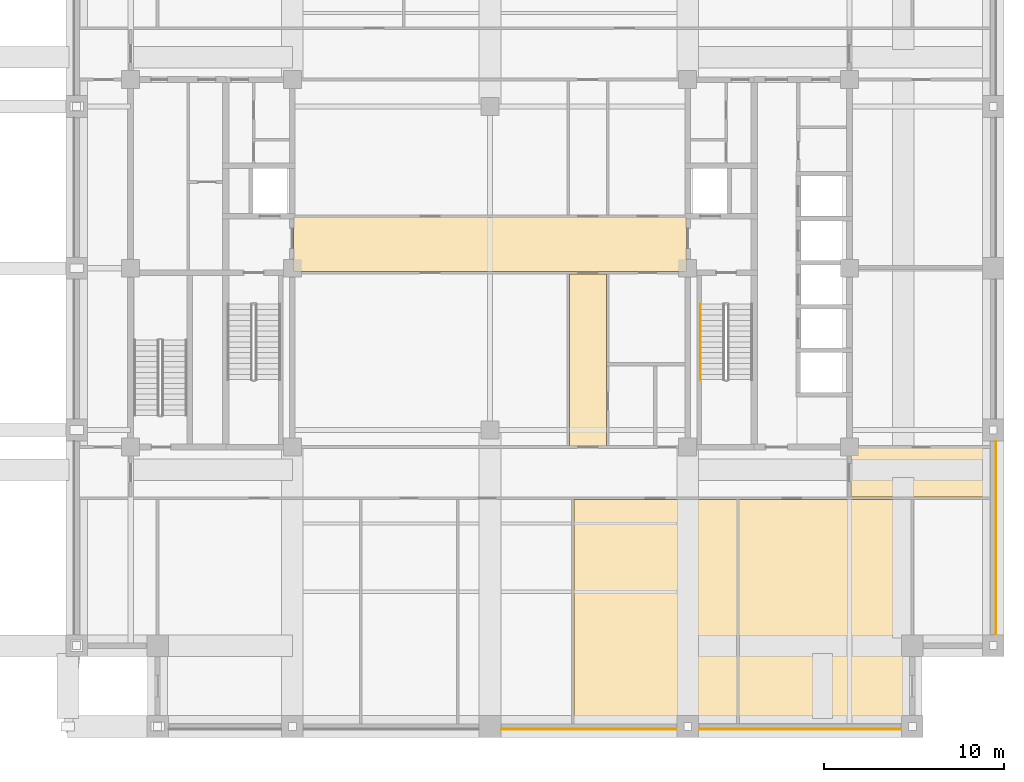
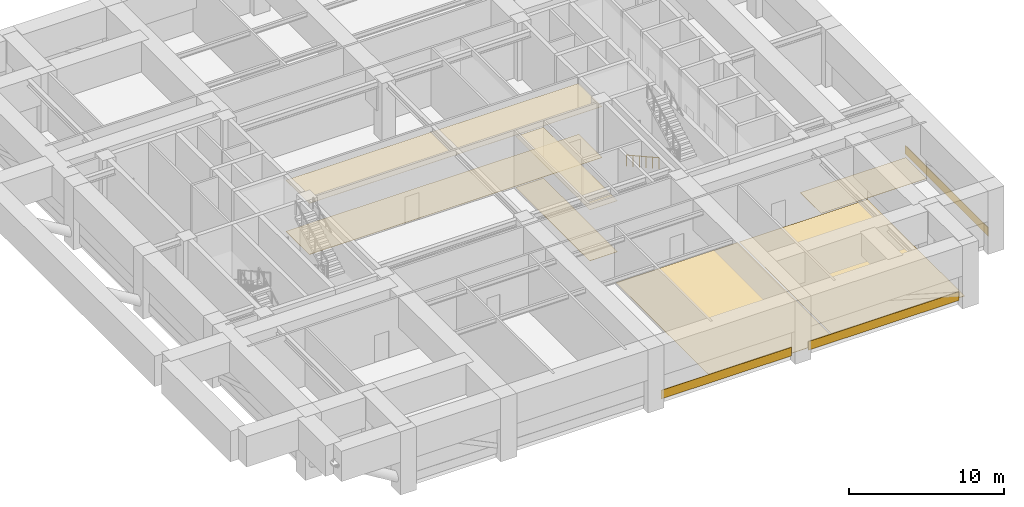
# One storey, part 9 of 11: 10 coverings, 1 railing.
"""IFC4 building model written with IfcOpenShell, lengths in metres."""

from ifc_helpers import new_model, si_unit, direction, frame, frame_2d, origin, origin_2d, place, context, subcontext, project, spatial, polyline, rectangle, outline, extrude, material, layer, layer_set, type_object, element, save


model = new_model("IFC4")

# Units and contexts
model_context = context("Model", 3, precision=1e-05, world=origin(), true_north=direction((0.0, 1.0)))
body_context = subcontext(model_context, "Body", "Model", "MODEL_VIEW")
ifc_project = project(units=[si_unit("LENGTHUNIT", "METRE"), si_unit("AREAUNIT", "SQUARE_METRE"), si_unit("VOLUMEUNIT", "CUBIC_METRE"), si_unit("PLANEANGLEUNIT", "RADIAN"), si_unit("MASSUNIT", "GRAM", prefix="KILO")], contexts=[model_context])

# Site, building, storey
site_placement = place(None, origin())
site = spatial("IfcSite", under=ifc_project, at=site_placement, CompositionType="ELEMENT")
building_placement = place(site_placement, origin())
building = spatial("IfcBuilding", under=site, at=building_placement, Name="Zulmaris Gate Convention Tower", CompositionType="ELEMENT")
storey_placement = place(building_placement, frame((0.0, 0.0, 116.349853515625)))
storey = spatial("IfcBuildingStorey", under=building, at=storey_placement, Name="L29", CompositionType="ELEMENT", Elevation=116.349853515625)

# Coverings
ifc_material_1 = material(Name="Precast concrete C40/50", Category="concrete")
ifc_layer_1 = layer(ifc_material_1, 0.0400390625, Name="Precast concrete C40/50")
ifc_layer_set_1 = layer_set([ifc_layer_1], Name="Precast concrete C40/50")
covering_type_1 = type_object("IfcCoveringType", Name="CLAD-SPANDREL-PRECAST", PredefinedType="CLADDING", material=ifc_layer_set_1)
covering_1_placement = place(storey_placement, frame((0.6298828125, -25.64990234375, 0.0), z_axis=(0.0, 0.0, 1.0), x_axis=(1.0, 0.0, 0.0)))
element("IfcCovering", 1, at=covering_1_placement, inside=storey, type_object=covering_type_1, Name="CLD-L29-S-2_0", PredefinedType="CLADDING", context=body_context, shape_type="SweptSolid", body=[
    extrude(rectangle(XDim=9.740234375, YDim=0.0400390625, at=frame_2d((4.8701171875, 0.0))), origin(), (0.0, 0.0, 1.0), 0.679931640625),
])
covering_2_placement = place(storey_placement, frame((11.6298828125, -25.64990234375, 0.0), z_axis=(0.0, 0.0, 1.0), x_axis=(1.0, 0.0, 0.0)))
element("IfcCovering", 2, at=covering_2_placement, inside=storey, type_object=covering_type_1, Name="CLD-L29-S-3_0", PredefinedType="CLADDING", context=body_context, shape_type="SweptSolid", body=[
    extrude(rectangle(XDim=11.240234375, YDim=0.0400390625, at=frame_2d((5.6201171875, 0.0))), origin(), (0.0, 0.0, 1.0), 0.679931640625),
])
covering_3_placement = place(storey_placement, frame((28.14990234375, -20.3701171875, 0.0), z_axis=(0.0, 0.0, 1.0), x_axis=(0.0, 1.0, 0.0)))
element("IfcCovering", 3, at=covering_3_placement, inside=storey, type_object=covering_type_1, Name="CLD-L29-E-0_0", PredefinedType="CLADDING", context=body_context, shape_type="SweptSolid", body=[
    extrude(rectangle(XDim=10.740234375, YDim=0.0400390625, at=frame_2d((5.3701171875, 0.0))), origin(), (0.0, 0.0, 1.0), 0.679931640625),
])
ifc_material_2 = material(Name="Mineral Fibre Acoustic Ceiling Tile")
ifc_layer_2 = layer(ifc_material_2, 0.02001953125, Name="Mineral Fibre Acoustic Ceiling Tile")
ifc_layer_set_2 = layer_set([ifc_layer_2], Name="Mineral Fibre Acoustic Ceiling Tile")
covering_type_2 = type_object("IfcCoveringType", Name="CLG-ACOUSTIC-600", PredefinedType="CEILING", material=ifc_layer_set_2)
covering_4_placement = place(storey_placement, frame((0.0, 0.0, 4.032958984375)))
element("IfcCovering", 4, at=covering_4_placement, inside=storey, type_object=covering_type_2, Name="CLG-L29-R32", PredefinedType="CEILING", context=body_context, shape_type="SweptSolid", body=[
    extrude(outline(polyline([(-10.93994140625, -0.18994140625), (10.93994140625, -0.18994140625), (10.93994140625, 2.840087890625), (-10.93994140625, 2.840087890625), (-10.93994140625, -0.18994140625)])), origin(), (0.0, 0.0, 1.0), 0.02001953125),
])
covering_5_placement = place(storey_placement, frame((0.0, 0.0, 4.032958984375)))
element("IfcCovering", 5, at=covering_5_placement, inside=storey, type_object=covering_type_2, Name="CLG-L29-R34", PredefinedType="CEILING", context=body_context, shape_type="SweptSolid", body=[
    extrude(outline(polyline([(4.409912109375, -9.889892578125), (6.489990234375, -9.889892578125), (6.489990234375, -0.31005859375), (4.409912109375, -0.31005859375), (4.409912109375, -9.889892578125)])), origin(), (0.0, 0.0, 1.0), 0.02001953125),
])
ifc_material_3 = material(Name="Woven Acoustic Wool Carpet Tile")
ifc_layer_3 = layer(ifc_material_3, 0.02001953125, Name="Woven Acoustic Wool Carpet Tile")
ifc_layer_set_3 = layer_set([ifc_layer_3], Name="Woven Acoustic Wool Carpet Tile")
covering_type_3 = type_object("IfcCoveringType", Name="FLR-CARPET-12", PredefinedType="FLOORING", material=ifc_layer_set_3)
covering_6_placement = place(storey_placement, origin())
element("IfcCovering", 6, at=covering_6_placement, inside=storey, type_object=covering_type_3, Name="FLR-L29-R32", PredefinedType="FLOORING", context=body_context, shape_type="SweptSolid", body=[
    extrude(outline(polyline([(-10.93994140625, -0.18994140625), (10.93994140625, -0.18994140625), (10.93994140625, 2.840087890625), (-10.93994140625, 2.840087890625), (-10.93994140625, -0.18994140625)])), origin(), (0.0, 0.0, 1.0), 0.02001953125),
])
covering_7_placement = place(storey_placement, origin())
element("IfcCovering", 7, at=covering_7_placement, inside=storey, type_object=covering_type_3, Name="FLR-L29-R34", PredefinedType="FLOORING", context=body_context, shape_type="SweptSolid", body=[
    extrude(outline(polyline([(4.409912109375, -9.889892578125), (6.489990234375, -9.889892578125), (6.489990234375, -0.31005859375), (4.409912109375, -0.31005859375), (4.409912109375, -9.889892578125)])), origin(), (0.0, 0.0, 1.0), 0.02001953125),
])
covering_8_placement = place(storey_placement, origin())
element("IfcCovering", 8, at=covering_8_placement, inside=storey, type_object=covering_type_3, Name="FLR-L29-R40", PredefinedType="FLOORING", context=body_context, shape_type="SweptSolid", body=[
    extrude(outline(polyline([(4.659912109375, -25.43994140625), (13.739990234375, -25.43994140625), (13.739990234375, -12.860107421875), (4.659912109375, -12.860107421875), (4.659912109375, -25.43994140625)])), origin(), (0.0, 0.0, 1.0), 0.02001953125),
])
covering_9_placement = place(storey_placement, origin())
element("IfcCovering", 9, at=covering_9_placement, inside=storey, type_object=covering_type_3, Name="FLR-L29-R41", PredefinedType="FLOORING", context=body_context, shape_type="SweptSolid", body=[
    extrude(outline(polyline([(13.860107421875, -25.43994140625), (23.43994140625, -25.43994140625), (23.43994140625, -12.860107421875), (13.860107421875, -12.860107421875), (13.860107421875, -25.43994140625)])), origin(), (0.0, 0.0, 1.0), 0.02001953125),
])
covering_10_placement = place(storey_placement, origin())
element("IfcCovering", 10, at=covering_10_placement, inside=storey, type_object=covering_type_3, Name="FLR-L29-R52", PredefinedType="FLOORING", context=body_context, shape_type="SweptSolid", body=[
    extrude(outline(polyline([(20.06005859375, -12.739990234375), (27.93994140625, -12.739990234375), (27.93994140625, -10.010009765625), (20.06005859375, -10.010009765625), (20.06005859375, -12.739990234375)])), origin(), (0.0, 0.0, 1.0), 0.02001953125),
])

# Railing
ifc_material_4 = material(Name="Brushed Stainless Steel", Category="steel")
railing_type = type_object("IfcRailingType", Name="RL-STH-900", PredefinedType="HANDRAIL", material=ifc_material_4)
railing_placement = place(storey_placement, frame((11.7099609375, -2.0, 0.166748046875)))
element("IfcRailing", 11, at=railing_placement, inside=storey, type_object=railing_type, Name="L29 ST-2 stair handrail 1", PredefinedType="HANDRAIL", context=body_context, shape_type="SweptSolid", body=[
    extrude(rectangle(XDim=0.048095703125, YDim=0.048095703125, at=origin_2d()), frame((0.0, 0.0, 0.8759765625), z_axis=(0.0, -0.874162069901, 0.485634302275), x_axis=(1.0, 0.0, 0.0)), (0.0, 0.0, 1.0), 4.804443359375),
    extrude(rectangle(XDim=0.0419921875, YDim=0.0419921875, at=origin_2d()), origin(), (0.0, 0.0, 1.0), 0.851806640625),
    extrude(rectangle(XDim=0.0419921875, YDim=0.0419921875, at=origin_2d()), frame((0.0, -0.840087890625, 0.466552734375)), (0.0, 0.0, 1.0), 0.851806640625),
    extrude(rectangle(XDim=0.0419921875, YDim=0.0419921875, at=origin_2d()), frame((0.0, -1.679931640625, 0.933349609375)), (0.0, 0.0, 1.0), 0.851806640625),
    extrude(rectangle(XDim=0.0419921875, YDim=0.0419921875, at=origin_2d()), frame((0.0, -2.52001953125, 1.39990234375)), (0.0, 0.0, 1.0), 0.851806640625),
    extrude(rectangle(XDim=0.0419921875, YDim=0.0419921875, at=origin_2d()), frame((0.0, -3.35986328125, 1.86669921875)), (0.0, 0.0, 1.0), 0.851806640625),
    extrude(rectangle(XDim=0.0419921875, YDim=0.0419921875, at=origin_2d()), frame((0.0, -4.199951171875, 2.333251953125)), (0.0, 0.0, 1.0), 0.851806640625),
])

save(model, "model.ifc")
